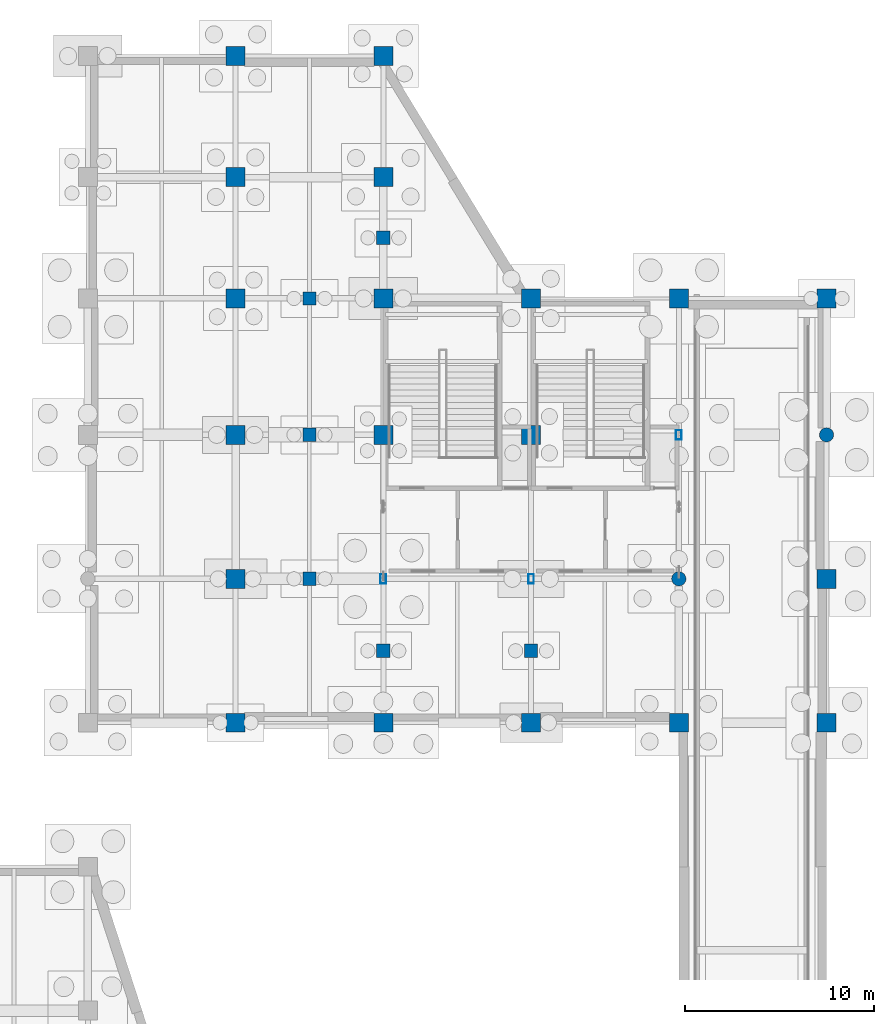
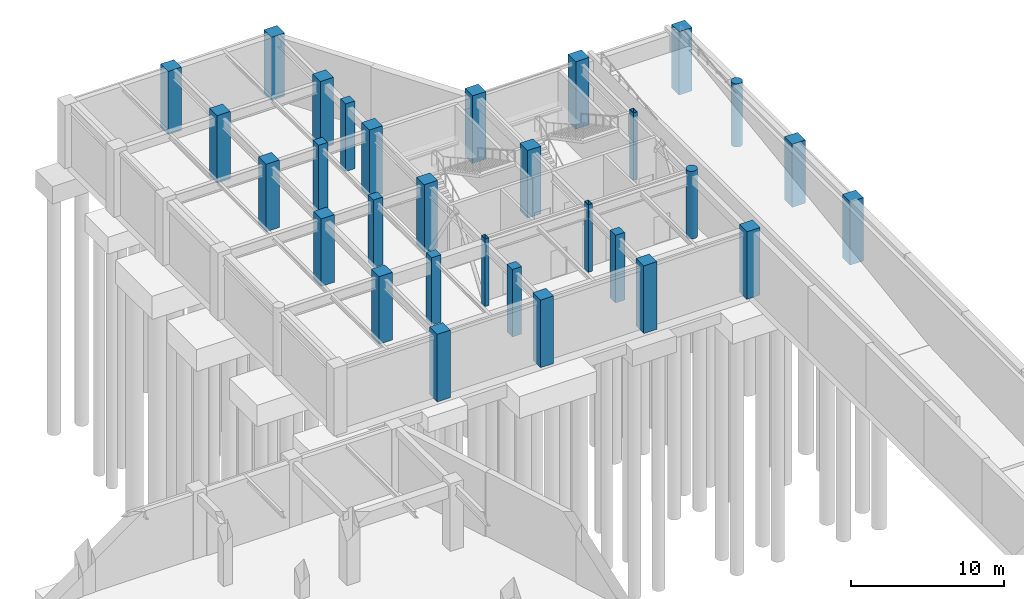
# One storey, part 21 of 52: 30 columns.
"""IFC4 building model written with IfcOpenShell, lengths in metres."""

from ifc_helpers import new_model, si_unit, direction, frame, origin, origin_2d, place, context, subcontext, project, spatial, rectangle, hollow_rectangle, circle, extrude, material, material_profile, profile_set, type_object, element, save


model = new_model("IFC4")

# Units and contexts
model_context = context("Model", 3, precision=1e-05, world=origin(), true_north=direction((0.0, 1.0)))
body_context = subcontext(model_context, "Body", "Model", "MODEL_VIEW")
ifc_project = project(units=[si_unit("LENGTHUNIT", "METRE"), si_unit("AREAUNIT", "SQUARE_METRE"), si_unit("VOLUMEUNIT", "CUBIC_METRE"), si_unit("PLANEANGLEUNIT", "RADIAN"), si_unit("MASSUNIT", "GRAM", prefix="KILO")], contexts=[model_context])

# Site, building, storey
site_placement = place(None, origin())
site = spatial("IfcSite", under=ifc_project, at=site_placement, CompositionType="ELEMENT")
building_placement = place(site_placement, origin())
building = spatial("IfcBuilding", under=site, at=building_placement, Name="Xicomal Pleat Aquarium", CompositionType="ELEMENT")
storey_placement = place(building_placement, frame((0.0, 0.0, -5.39990234375)))
storey = spatial("IfcBuildingStorey", under=building, at=storey_placement, Name="B1", CompositionType="ELEMENT", Elevation=-5.39990234375)

# Columns
ifc_material_1 = material(Name="Concrete C40/50", Category="concrete")
ifc_material_profile_1 = material_profile(ifc_material_1, rectangle(XDim=1.0, YDim=1.0, at=origin_2d()), Name="RC 1000x1000")
ifc_profile_set_1 = profile_set([ifc_material_profile_1], Name="Concrete C40/50")
column_type_1 = type_object("IfcColumnType", Name="COL-RC-1000x1000", PredefinedType="COLUMN", material=ifc_profile_set_1)
for number, where, z_axis, x_axis, name in (
    (1, (133.800048828125, 76.0, 0.0), (0.0, 0.0, 1.0), (1.0, 0.0, 0.0), "B1 column 17/L"),
    (2, (133.800048828125, 83.60009765625, 0.0), (0.0, 0.0, 1.0), (1.0, 0.0, 0.0), "B1 column 17/M"),
    (3, (133.800048828125, 91.199951171875, 0.0), (0.0, 0.0, 1.0), (1.0, 0.0, 0.0), "B1 column 17/N"),
    (4, (133.800048828125, 98.39990234375, 0.0), (0.0, 0.0, 1.0), (1.0, 0.0, 0.0), "B1 column 17/P"),
    (5, (133.800048828125, 104.800048828125, 0.0), (0.0, 0.0, 1.0), (1.0, 0.0, 0.0), "B1 column 17/Q"),
):
    element("IfcColumn", number, at=place(storey_placement, frame(where, z_axis=z_axis, x_axis=x_axis)), inside=storey, type_object=column_type_1, Name=name, PredefinedType="COLUMN", context=body_context, shape_type="SweptSolid", body=[
        extrude(rectangle(XDim=1.0, YDim=1.0, at=origin_2d()), origin(), (0.0, 0.0, 1.0), 5.39990234375),
    ])
column_1_placement = place(storey_placement, frame((133.800048828125, 111.199951171875, 0.0), z_axis=(0.0, 0.0, 1.0), x_axis=(1.0, 0.0, 0.0)))
element("IfcColumn", 6, at=column_1_placement, inside=storey, type_object=column_type_1, Name="B1 column 17/R", PredefinedType="COLUMN", context=body_context, shape_type="SweptSolid", body=[
    extrude(rectangle(XDim=1.0, YDim=1.0, at=origin_2d()), origin(), (0.0, 0.0, 1.0), 5.0498046875),
])
for number, where, z_axis, x_axis, name in (
    (7, (141.60009765625, 76.0, 0.0), (0.0, 0.0, 1.0), (1.0, 0.0, 0.0), "B1 column 18/L"),
    (8, (141.60009765625, 91.199951171875, 0.0), (0.0, 0.0, 1.0), (1.0, 0.0, 0.0), "B1 column 18/N"),
    (9, (141.60009765625, 98.39990234375, 0.0), (0.0, 0.0, 1.0), (1.0, 0.0, 0.0), "B1 column 18/P"),
    (10, (141.60009765625, 104.800048828125, 0.0), (0.0, 0.0, 1.0), (1.0, 0.0, 0.0), "B1 column 18/Q"),
):
    element("IfcColumn", number, at=place(storey_placement, frame(where, z_axis=z_axis, x_axis=x_axis)), inside=storey, type_object=column_type_1, Name=name, PredefinedType="COLUMN", context=body_context, shape_type="SweptSolid", body=[
        extrude(rectangle(XDim=1.0, YDim=1.0, at=origin_2d()), origin(), (0.0, 0.0, 1.0), 5.39990234375),
    ])
column_2_placement = place(storey_placement, frame((141.60009765625, 111.199951171875, 0.0), z_axis=(0.0, 0.0, 1.0), x_axis=(1.0, 0.0, 0.0)))
element("IfcColumn", 11, at=column_2_placement, inside=storey, type_object=column_type_1, Name="B1 column 18/R", PredefinedType="COLUMN", context=body_context, shape_type="SweptSolid", body=[
    extrude(rectangle(XDim=1.0, YDim=1.0, at=origin_2d()), origin(), (0.0, 0.0, 1.0), 5.0498046875),
])
for number, where, z_axis, x_axis, name in (
    (12, (149.39990234375, 76.0, 0.0), (0.0, 0.0, 1.0), (1.0, 0.0, 0.0), "B1 column 19/L"),
    (13, (149.39990234375, 91.199951171875, 0.0), (0.0, 0.0, 1.0), (1.0, 0.0, 0.0), "B1 column 19/N"),
    (14, (149.39990234375, 98.39990234375, 0.0), (0.0, 0.0, 1.0), (1.0, 0.0, 0.0), "B1 column 19/P"),
    (15, (157.199951171875, 76.0, 0.0), (0.0, 0.0, 1.0), (1.0, 0.0, 0.0), "B1 column 20/L"),
    (16, (157.199951171875, 98.39990234375, 0.0), (0.0, 0.0, 1.0), (1.0, 0.0, 0.0), "B1 column 20/P"),
):
    element("IfcColumn", number, at=place(storey_placement, frame(where, z_axis=z_axis, x_axis=x_axis)), inside=storey, type_object=column_type_1, Name=name, PredefinedType="COLUMN", context=body_context, shape_type="SweptSolid", body=[
        extrude(rectangle(XDim=1.0, YDim=1.0, at=origin_2d()), origin(), (0.0, 0.0, 1.0), 5.39990234375),
    ])
for number, where, z_axis, x_axis, name in (
    (17, (165.0, 76.0, 0.0), (0.0, 0.0, 1.0), (1.0, 0.0, 0.0), "B1 column 21/L"),
    (18, (165.0, 83.60009765625, 0.0), (0.0, 0.0, 1.0), (1.0, 0.0, 0.0), "B1 column 21/M"),
    (19, (165.0, 98.39990234375, 0.0), (0.0, 0.0, 1.0), (1.0, 0.0, 0.0), "B1 column 21/P"),
):
    element("IfcColumn", number, at=place(storey_placement, frame(where, z_axis=z_axis, x_axis=x_axis)), inside=storey, type_object=column_type_1, Name=name, PredefinedType="COLUMN", context=body_context, shape_type="SweptSolid", body=[
        extrude(rectangle(XDim=1.0, YDim=1.0, at=origin_2d()), origin(), (0.0, 0.0, 1.0), 5.0498046875),
    ])
ifc_material_2 = material(Name="Concrete C40/50", Category="concrete")
ifc_material_profile_2 = material_profile(ifc_material_2, rectangle(XDim=0.699951171875, YDim=0.699951171875, at=origin_2d()), Name="RC 700x700")
ifc_profile_set_2 = profile_set([ifc_material_profile_2], Name="Concrete C40/50")
column_type_2 = type_object("IfcColumnType", Name="COL-RC-700x700", PredefinedType="COLUMN", material=ifc_profile_set_2)
for number, where, z_axis, x_axis, name in (
    (20, (137.699951171875, 83.60009765625, 0.0), (0.0, 0.0, 1.0), (1.0, 0.0, 0.0), "B1 intermediate support column SUB-27"),
    (21, (137.699951171875, 91.199951171875, 0.0), (0.0, 0.0, 1.0), (1.0, 0.0, 0.0), "B1 intermediate support column SUB-28"),
    (22, (137.699951171875, 98.39990234375, 0.0), (0.0, 0.0, 1.0), (1.0, 0.0, 0.0), "B1 intermediate support column SUB-29"),
    (23, (141.60009765625, 79.800048828125, 0.0), (0.0, 0.0, 1.0), (1.0, 0.0, 0.0), "B1 intermediate support column SUB-63"),
    (24, (141.60009765625, 101.60009765625, 0.0), (0.0, 0.0, 1.0), (1.0, 0.0, 0.0), "B1 intermediate support column SUB-64"),
    (25, (149.39990234375, 79.800048828125, 0.0), (0.0, 0.0, 1.0), (1.0, 0.0, 0.0), "B1 intermediate support column SUB-65"),
):
    element("IfcColumn", number, at=place(storey_placement, frame(where, z_axis=z_axis, x_axis=x_axis)), inside=storey, type_object=column_type_2, Name=name, PredefinedType="COLUMN", context=body_context, shape_type="SweptSolid", body=[
        extrude(rectangle(XDim=0.699951171875, YDim=0.699951171875, at=origin_2d()), origin(), (0.0, 0.0, 1.0), 5.39990234375),
    ])
ifc_material_3 = material(Name="Concrete C40/50", Category="concrete")
ifc_material_profile_3 = material_profile(ifc_material_3, circle(Radius=0.375, at=origin_2d()), Name="RCC D750")
ifc_profile_set_3 = profile_set([ifc_material_profile_3], Name="Concrete C40/50")
column_type_3 = type_object("IfcColumnType", Name="COL-RCC-D750", PredefinedType="COLUMN", material=ifc_profile_set_3)
column_3_placement = place(storey_placement, frame((157.199951171875, 83.60009765625, 0.0), z_axis=(0.0, 0.0, 1.0), x_axis=(1.0, 0.0, 0.0)))
element("IfcColumn", 26, at=column_3_placement, inside=storey, type_object=column_type_3, Name="B1 column 20/M", PredefinedType="COLUMN", context=body_context, shape_type="SweptSolid", body=[
    extrude(circle(Radius=0.375, at=origin_2d()), origin(), (0.0, 0.0, 1.0), 5.39990234375),
])
column_4_placement = place(storey_placement, frame((165.0, 91.199951171875, 0.0), z_axis=(0.0, 0.0, 1.0), x_axis=(1.0, 0.0, 0.0)))
element("IfcColumn", 27, at=column_4_placement, inside=storey, type_object=column_type_3, Name="B1 column 21/N", PredefinedType="COLUMN", context=body_context, shape_type="SweptSolid", body=[
    extrude(circle(Radius=0.375, at=origin_2d()), origin(), (0.0, 0.0, 1.0), 5.0498046875),
])
ifc_material_4 = material(Name="Structural steel A500 Gr C", Category="steel")
ifc_material_profile_4 = material_profile(ifc_material_4, hollow_rectangle(XDim=0.300048828125, YDim=0.5, WallThickness=0.01611328125, at=origin_2d()), Name="OR 500x300x16")
ifc_profile_set_4 = profile_set([ifc_material_profile_4], Name="Structural steel A500 Gr C")
column_type_4 = type_object("IfcColumnType", Name="COL-STL-OR500", PredefinedType="COLUMN", material=ifc_profile_set_4)
for number, where, z_axis, x_axis, name in (
    (28, (141.60009765625, 83.60009765625, 0.0), (0.0, 0.0, 1.0), (1.0, 0.0, 0.0), "B1 column 18/M"),
    (29, (149.39990234375, 83.60009765625, 0.0), (0.0, 0.0, 1.0), (1.0, 0.0, 0.0), "B1 column 19/M"),
    (30, (157.199951171875, 91.199951171875, 0.0), (0.0, 0.0, 1.0), (1.0, 0.0, 0.0), "B1 column 20/N"),
):
    element("IfcColumn", number, at=place(storey_placement, frame(where, z_axis=z_axis, x_axis=x_axis)), inside=storey, type_object=column_type_4, Name=name, PredefinedType="COLUMN", context=body_context, shape_type="SweptSolid", body=[
        extrude(hollow_rectangle(XDim=0.300048828125, YDim=0.5, WallThickness=0.01611328125, at=origin_2d()), origin(), (0.0, 0.0, 1.0), 5.39990234375),
    ])

save(model, "model.ifc")
